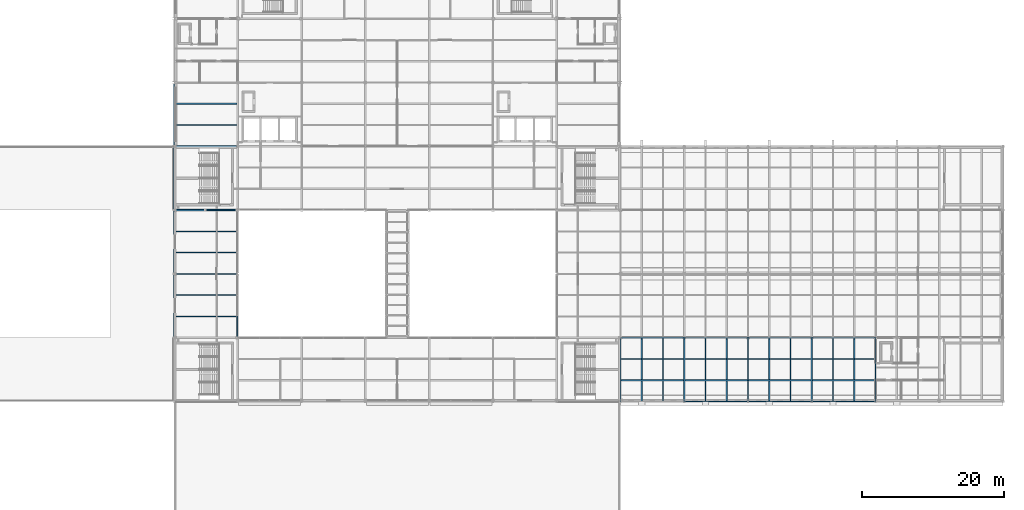
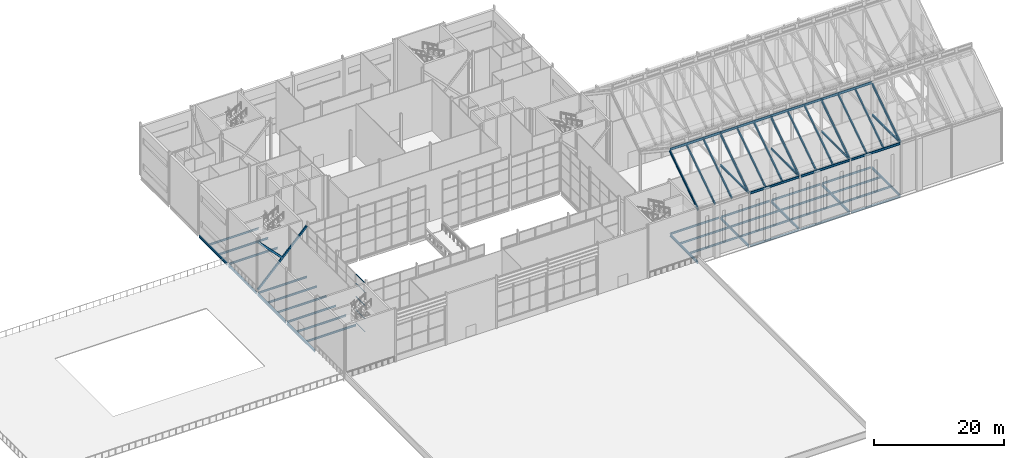
# One storey, part 31 of 111: 44 beams, 20 members, 1 element without a shape of its own.
"""IFC4 building model written with IfcOpenShell, lengths in metres."""

import ifcopenshell
import ifcopenshell.guid

model = None  # the IFC model being written
_history = None  # IfcOwnerHistory: only IFC2X3 demands one
_inside = {}  # id of a spatial element -> (the spatial element, [elements in it])
_under = {}  # id of a project, library or spatial element -> (it, [spatial elements below it])
_declared = {}  # id of a project -> (the project, [libraries it declares])
_typed = {}  # id of a type object -> (the type object, [elements of that type])
_made_of = {}  # id of a material, layer set ... -> (it, [elements and type objects made of it])


def new_model(schema):
    """Start an empty IFC model of exactly this schema.

    Asked for "IFC4X3", IfcOpenShell would pick the latest addendum, in which some entities
    have other attributes; the version numbers below select the first issue.
    IFC2X3 requires an IfcOwnerHistory on every rooted entity: one is made here for all.
    """
    global model, _history
    if schema == "IFC4X3":
        model = ifcopenshell.file(schema_version=(4, 3, 0, 0))
    else:
        model = ifcopenshell.file(schema=schema)
    _inside.clear()
    _under.clear()
    _declared.clear()
    _typed.clear()
    _made_of.clear()
    _history = None
    if model.schema == "IFC2X3":
        org = make("IfcOrganization", Name="unknown")
        user = make(
            "IfcPersonAndOrganization",
            ThePerson=make("IfcPerson", FamilyName="unknown"),
            TheOrganization=org,
        )
        app = make(
            "IfcApplication",
            ApplicationDeveloper=org,
            Version="unknown",
            ApplicationFullName="unknown",
            ApplicationIdentifier="unknown",
        )
        _history = make(
            "IfcOwnerHistory",
            OwningUser=user,
            OwningApplication=app,
            ChangeAction="ADDED",
            CreationDate=0,
        )
    return model


def make(cls, **values):
    """One entity of the class cls with the attributes given. An attribute that is None is left unset."""
    return model.create_entity(
        cls, **{name: value for name, value in values.items() if value is not None}
    )


def rooted(cls, **values):
    """An entity with a GlobalId (a new one), such as an element, a storey or a relation."""
    return make(cls, GlobalId=ifcopenshell.guid.new(), OwnerHistory=_history, **values)


def si_unit(unit_type, name, prefix=None):
    """IfcSIUnit, for example si_unit("LENGTHUNIT", "METRE", prefix="MILLI")."""
    return make("IfcSIUnit", UnitType=unit_type, Prefix=prefix, Name=name)


def assignment(units):
    """IfcUnitAssignment: the units of a project."""
    return None if units is None else make("IfcUnitAssignment", Units=units)


def point(xyz):
    """IfcCartesianPoint."""
    return None if xyz is None else make("IfcCartesianPoint", Coordinates=xyz)


def direction(xyz):
    """IfcDirection."""
    return None if xyz is None else make("IfcDirection", DirectionRatios=xyz)


def frame(location, z_axis=None, x_axis=None):
    """IfcAxis2Placement3D, a coordinate frame: its origin and axes. An axis left out is left unset."""
    return make(
        "IfcAxis2Placement3D",
        Location=point(location),
        Axis=direction(z_axis),
        RefDirection=direction(x_axis),
    )


def frame_2d(location, x_axis=None):
    """IfcAxis2Placement2D, a coordinate frame in the plane: its origin and x axis."""
    return make(
        "IfcAxis2Placement2D", Location=point(location), RefDirection=direction(x_axis)
    )


def origin():
    """The frame at (0, 0, 0) with its axes left unset."""
    return frame((0.0, 0.0, 0.0))


def origin_2d():
    """The frame at (0, 0) in the plane with its x axis left unset."""
    return frame_2d((0.0, 0.0))


def place(relative_to, where):
    """IfcLocalPlacement: puts the frame where relative to a parent placement (None: the world)."""
    return make(
        "IfcLocalPlacement", PlacementRelTo=relative_to, RelativePlacement=where
    )


def context(
    kind, dimensions, precision=None, world=None, true_north=None, identifier=None
):
    """IfcGeometricRepresentationContext, for example the 3D "Model" context."""
    return make(
        "IfcGeometricRepresentationContext",
        ContextIdentifier=identifier,
        ContextType=kind,
        CoordinateSpaceDimension=dimensions,
        Precision=precision,
        WorldCoordinateSystem=world,
        TrueNorth=true_north,
    )


def subcontext(parent, identifier, kind, view, scale=None):
    """IfcGeometricRepresentationSubContext, for example "Body" below "Model"."""
    return make(
        "IfcGeometricRepresentationSubContext",
        ContextIdentifier=identifier,
        ContextType=kind,
        ParentContext=parent,
        TargetScale=scale,
        TargetView=view,
    )


def project(units=None, contexts=None):
    """IfcProject with its units and contexts."""
    return rooted(
        "IfcProject",
        Name="project",
        RepresentationContexts=contexts,
        UnitsInContext=assignment(units),
    )


def spatial(cls, under=None, at=None, **own):
    """A site, building, storey or space (cls), placed at a placement, below another one or the project."""
    s = rooted(cls, ObjectPlacement=at, **own)
    if under is not None:
        _under.setdefault(under.id(), (under, []))[1].append(s)
    return s


def profile(cls, at=None, kind="AREA", **sizes):
    """A parametric profile (cls). Its sizes go by their IFC names, for example OverallWidth=200.0."""
    return make(cls, ProfileType=kind, Position=at, **sizes)


def hollow_rectangle(**sizes):
    """IfcRectangleHollowProfileDef."""
    return profile("IfcRectangleHollowProfileDef", **sizes)


def i_section(**sizes):
    """IfcIShapeProfileDef."""
    return profile("IfcIShapeProfileDef", **sizes)


def extrude(swept, where, along, depth):
    """IfcExtrudedAreaSolid: the profile swept, set in the frame where, extruded along a direction by depth."""
    return make(
        "IfcExtrudedAreaSolid",
        SweptArea=swept,
        Position=where,
        ExtrudedDirection=direction(along),
        Depth=depth,
    )


def shape(context_of_items, identifier, shape_type, items):
    """IfcShapeRepresentation: the items that make up one representation, for example the "Body"."""
    return make(
        "IfcShapeRepresentation",
        ContextOfItems=context_of_items,
        RepresentationIdentifier=identifier,
        RepresentationType=shape_type,
        Items=items,
    )


def material(Name=None, Category=None):
    """IfcMaterial."""
    return make("IfcMaterial", Name=Name, Category=Category)


def layer(
    of_material, thickness, ventilated=None, Name=None, Category=None, Priority=None
):
    """IfcMaterialLayer: one layer of a wall or slab, of a material (None: an air gap)."""
    return make(
        "IfcMaterialLayer",
        Material=of_material,
        LayerThickness=thickness,
        IsVentilated=ventilated,
        Name=Name,
        Category=Category,
        Priority=Priority,
    )


def layer_set(layers, Name=None):
    """IfcMaterialLayerSet."""
    return make("IfcMaterialLayerSet", MaterialLayers=layers, LayerSetName=Name)


def material_profile(
    of_material, cross_section, Name=None, Category=None, Priority=None
):
    """IfcMaterialProfile: a cross section and its material."""
    return make(
        "IfcMaterialProfile",
        Name=Name,
        Material=of_material,
        Profile=cross_section,
        Priority=Priority,
        Category=Category,
    )


def profile_set(profiles, Name=None, composite=None):
    """IfcMaterialProfileSet."""
    return make(
        "IfcMaterialProfileSet",
        Name=Name,
        MaterialProfiles=profiles,
        CompositeProfile=composite,
    )


def made_of(thing, what):
    """Note that an element or type object is made of a material, layer set ...; save() writes the relation."""
    if what is not None:
        _made_of.setdefault(what.id(), (what, []))[1].append(thing)
    return thing


def type_object(cls, material=None, **own):
    """A type object (cls), such as IfcWallType, which elements share."""
    return made_of(rooted(cls, **own), material)


def element(
    cls,
    number,
    at=None,
    inside=None,
    cuts=None,
    type_object=None,
    material=None,
    context=None,
    identifier="Body",
    shape_type=None,
    held_by="IfcProductDefinitionShape",
    body=None,
    shapes=None,
    **own,
):
    """One element of the class cls, such as IfcWall. Its Tag is "e" and its number.

    at: its placement. inside: the storey or other place that contains it. cuts: it is an
    opening in that element (IfcRelVoidsElement). A single representation is given by context,
    identifier, shape_type and body (its items); several are given by shapes. held_by: the class
    of the entity that holds the representations. save() writes the other relations.
    """
    e = rooted(cls, Tag="e%d" % number, ObjectPlacement=at, **own)
    if body is not None:
        shapes = [shape(context, identifier, shape_type, body)]
    if shapes is not None:
        e.Representation = make(held_by, Representations=shapes)
    if inside is not None:
        _inside.setdefault(inside.id(), (inside, []))[1].append(e)
    if cuts is not None:
        rooted(
            "IfcRelVoidsElement", RelatingBuildingElement=cuts, RelatedOpeningElement=e
        )
    if type_object is not None:
        _typed.setdefault(type_object.id(), (type_object, []))[1].append(e)
    return made_of(e, material)


def aggregate(whole, parts):
    """IfcRelAggregates: a whole, such as a stair, and the parts it consists of."""
    return rooted("IfcRelAggregates", RelatingObject=whole, RelatedObjects=parts)


def save(model, path):
    """Write the relations noted so far, then the file.

    IfcRelAggregates (storeys below a building ...), IfcRelContainedInSpatialStructure (elements
    in a storey), IfcRelDefinesByType, IfcRelAssociatesMaterial and IfcRelDeclares: one each for
    every whole, place, type object, material and project.
    """
    for whole, parts in _under.values():
        aggregate(whole, parts)
    for where, things in _inside.values():
        rooted(
            "IfcRelContainedInSpatialStructure",
            RelatedElements=things,
            RelatingStructure=where,
        )
    for kind, things in _typed.values():
        rooted("IfcRelDefinesByType", RelatedObjects=things, RelatingType=kind)
    for what, things in _made_of.values():
        rooted("IfcRelAssociatesMaterial", RelatedObjects=things, RelatingMaterial=what)
    for by, libraries in _declared.values():
        rooted("IfcRelDeclares", RelatingContext=by, RelatedDefinitions=libraries)
    model.write(path)


model = new_model("IFC4")

# Units and contexts
model_context = context("Model", 3, precision=1e-05, world=origin(), true_north=direction((0.0, 1.0)))
body_context = subcontext(model_context, "Body", "Model", "MODEL_VIEW")
ifc_project = project(units=[si_unit("LENGTHUNIT", "METRE"), si_unit("AREAUNIT", "SQUARE_METRE"), si_unit("VOLUMEUNIT", "CUBIC_METRE"), si_unit("PLANEANGLEUNIT", "RADIAN"), si_unit("MASSUNIT", "GRAM", prefix="KILO")], contexts=[model_context])

# Site, building, storey
site_placement = place(None, origin())
site = spatial("IfcSite", under=ifc_project, at=site_placement, CompositionType="ELEMENT")
building_placement = place(site_placement, origin())
building = spatial("IfcBuilding", under=site, at=building_placement, Name="Shorebreak Coast Museum", CompositionType="ELEMENT")
storey_placement = place(building_placement, frame((0.0, 0.0, 16.0)))
storey = spatial("IfcBuildingStorey", under=building, at=storey_placement, Name="L03", CompositionType="ELEMENT", Elevation=16.0)

# Beams
ifc_material_1 = material(Name="Steel Grade 300", Category="steel")
ifc_material_profile_1 = material_profile(ifc_material_1, i_section(OverallWidth=0.1708984375, OverallDepth=0.355712890625, WebThickness=0.00732421875, FlangeThickness=0.011474609375, FilletRadius=0.011474609375, at=origin_2d()), Name="360UB50.7")
ifc_profile_set_1 = profile_set([ifc_material_profile_1], Name="Steel Grade 300")
beam_type_1 = type_object("IfcBeamType", Name="Floor girder east-west 360UB50.7", PredefinedType="BEAM", material=ifc_profile_set_1)
for number, where, z_axis, x_axis, name in (
    (1, (126.14990234375, 54.0, -0.352783203125), (1.0, 0.0, 0.0), (0.0, 1.0, 0.0), "Floor girder east-west L03 15G"),
    (2, (135.14990234375, 54.0, -0.352783203125), (1.0, 0.0, 0.0), (0.0, 1.0, 0.0), "Floor girder east-west L03 16G"),
    (3, (144.14990234375, 54.0, -0.352783203125), (1.0, 0.0, 0.0), (0.0, 1.0, 0.0), "Floor girder east-west L03 17G"),
):
    element("IfcBeam", number, at=place(storey_placement, frame(where, z_axis=z_axis, x_axis=x_axis)), inside=storey, type_object=beam_type_1, Name=name, PredefinedType="BEAM", context=body_context, shape_type="SweptSolid", body=[
        extrude(i_section(OverallWidth=0.1708984375, OverallDepth=0.355712890625, WebThickness=0.00732421875, FlangeThickness=0.011474609375, FilletRadius=0.011474609375, at=origin_2d()), origin(), (0.0, 0.0, 1.0), 8.7001953125),
    ])
for number, where, z_axis, x_axis, name in (
    (4, (117.153564453125, 63.0, -0.352783203125), (1.0, 0.0, 0.0), (0.0, 1.0, 0.0), "Floor girder east-west L03 14H"),
    (5, (126.153564453125, 63.0, -0.352783203125), (1.0, 0.0, 0.0), (0.0, 1.0, 0.0), "Floor girder east-west L03 15H"),
    (6, (135.153564453125, 63.0, -0.352783203125), (1.0, 0.0, 0.0), (0.0, 1.0, 0.0), "Floor girder east-west L03 16H"),
    (7, (144.153564453125, 63.0, -0.352783203125), (1.0, 0.0, 0.0), (0.0, 1.0, 0.0), "Floor girder east-west L03 17H"),
):
    element("IfcBeam", number, at=place(storey_placement, frame(where, z_axis=z_axis, x_axis=x_axis)), inside=storey, type_object=beam_type_1, Name=name, PredefinedType="BEAM", context=body_context, shape_type="SweptSolid", body=[
        extrude(i_section(OverallWidth=0.1708984375, OverallDepth=0.355712890625, WebThickness=0.00732421875, FlangeThickness=0.011474609375, FilletRadius=0.011474609375, at=origin_2d()), origin(), (0.0, 0.0, 1.0), 8.69287109375),
    ])
for number, where, z_axis, x_axis, name in (
    (8, (54.153564453125, 72.0, -0.352783203125), (1.0, 0.0, 0.0), (0.0, 1.0, 0.0), "Floor girder east-west L03 7J"),
    (9, (54.153564453125, 81.0, -0.352783203125), (1.0, 0.0, 0.0), (0.0, 1.0, 0.0), "Floor girder east-west L03 7K"),
):
    element("IfcBeam", number, at=place(storey_placement, frame(where, z_axis=z_axis, x_axis=x_axis)), inside=storey, type_object=beam_type_1, Name=name, PredefinedType="BEAM", context=body_context, shape_type="SweptSolid", body=[
        extrude(i_section(OverallWidth=0.1708984375, OverallDepth=0.355712890625, WebThickness=0.00732421875, FlangeThickness=0.011474609375, FilletRadius=0.011474609375, at=origin_2d()), origin(), (0.0, 0.0, 1.0), 8.69091796875),
    ])
beam_1_placement = place(storey_placement, frame((54.155517578125, 90.0, -0.352783203125), z_axis=(1.0, 0.0, 0.0), x_axis=(0.0, 1.0, 0.0)))
element("IfcBeam", 10, at=beam_1_placement, inside=storey, type_object=beam_type_1, Name="Floor girder east-west L03 7L", PredefinedType="BEAM", context=body_context, shape_type="SweptSolid", body=[
    extrude(i_section(OverallWidth=0.1708984375, OverallDepth=0.355712890625, WebThickness=0.00732421875, FlangeThickness=0.011474609375, FilletRadius=0.011474609375, at=origin_2d()), origin(), (0.0, 0.0, 1.0), 8.68896484375),
])
ifc_material_2 = material(Name="Steel Grade 300", Category="steel")
ifc_material_profile_2 = material_profile(ifc_material_2, i_section(OverallWidth=0.18994140625, OverallDepth=0.453857421875, WebThickness=0.008544921875, FlangeThickness=0.0126953125, FilletRadius=0.011474609375, at=origin_2d()), Name="460UB67.1")
ifc_profile_set_2 = profile_set([ifc_material_profile_2], Name="Steel Grade 300")
beam_type_2 = type_object("IfcBeamType", Name="Floor girder north-south 460UB67.1", PredefinedType="BEAM", material=ifc_profile_set_2)
for number, where, z_axis, x_axis, name in (
    (11, (117.0, 54.14990234375, -0.40185546875), (0.0, 1.0, 0.0), (-1.0, 0.0, 0.0), "Floor girder north-south L03 14G"),
    (12, (126.0, 54.14990234375, -0.40185546875), (0.0, 1.0, 0.0), (-1.0, 0.0, 0.0), "Floor girder north-south L03 15G"),
    (13, (135.0, 54.14990234375, -0.40185546875), (0.0, 1.0, 0.0), (-1.0, 0.0, 0.0), "Floor girder north-south L03 16G"),
    (14, (144.0, 54.14990234375, -0.40185546875), (0.0, 1.0, 0.0), (-1.0, 0.0, 0.0), "Floor girder north-south L03 17G"),
    (15, (153.0, 54.14990234375, -0.40185546875), (0.0, 1.0, 0.0), (-1.0, 0.0, 0.0), "Floor girder north-south L03 18G"),
):
    element("IfcBeam", number, at=place(storey_placement, frame(where, z_axis=z_axis, x_axis=x_axis)), inside=storey, type_object=beam_type_2, Name=name, PredefinedType="BEAM", context=body_context, shape_type="SweptSolid", body=[
        extrude(i_section(OverallWidth=0.18994140625, OverallDepth=0.453857421875, WebThickness=0.008544921875, FlangeThickness=0.0126953125, FilletRadius=0.011474609375, at=origin_2d()), origin(), (0.0, 0.0, 1.0), 8.69287109375),
    ])
for number, where, z_axis, x_axis, name in (
    (16, (54.0, 63.1572265625, -0.40185546875), (0.0, 1.0, 0.0), (-1.0, 0.0, 0.0), "Floor girder north-south L03 7H"),
    (17, (54.0, 72.1572265625, -0.40185546875), (0.0, 1.0, 0.0), (-1.0, 0.0, 0.0), "Floor girder north-south L03 7J"),
):
    element("IfcBeam", number, at=place(storey_placement, frame(where, z_axis=z_axis, x_axis=x_axis)), inside=storey, type_object=beam_type_2, Name=name, PredefinedType="BEAM", context=body_context, shape_type="SweptSolid", body=[
        extrude(i_section(OverallWidth=0.18994140625, OverallDepth=0.453857421875, WebThickness=0.008544921875, FlangeThickness=0.0126953125, FilletRadius=0.011474609375, at=origin_2d()), origin(), (0.0, 0.0, 1.0), 8.685546875),
    ])
for number, where, z_axis, x_axis, name in (
    (18, (54.0, 81.1572265625, -0.40185546875), (0.0, 1.0, 0.0), (-1.0, 0.0, 0.0), "Floor girder north-south L03 7K"),
    (19, (54.0, 90.16357421875, -0.40185546875), (0.0, 1.0, 0.0), (-1.0, 0.0, 0.0), "Floor girder north-south L03 7L"),
):
    element("IfcBeam", number, at=place(storey_placement, frame(where, z_axis=z_axis, x_axis=x_axis)), inside=storey, type_object=beam_type_2, Name=name, PredefinedType="BEAM", context=body_context, shape_type="SweptSolid", body=[
        extrude(i_section(OverallWidth=0.18994140625, OverallDepth=0.453857421875, WebThickness=0.008544921875, FlangeThickness=0.0126953125, FilletRadius=0.011474609375, at=origin_2d()), origin(), (0.0, 0.0, 1.0), 8.67919921875),
    ])
ifc_material_3 = material(Name="Steel Grade 300", Category="steel")
ifc_material_profile_3 = material_profile(ifc_material_3, i_section(OverallWidth=0.1708984375, OverallDepth=0.35205078125, WebThickness=0.0068359375, FlangeThickness=0.009765625, FilletRadius=0.011474609375, at=origin_2d()), Name="360UB44.7")
ifc_profile_set_3 = profile_set([ifc_material_profile_3], Name="Steel Grade 300")
beam_type_3 = type_object("IfcBeamType", Name="Floor joist 360UB44.7", PredefinedType="JOIST", material=ifc_profile_set_3)
for number, where, z_axis, x_axis, name in (
    (20, (117.094970703125, 57.0, -0.35107421875), (1.0, 0.0, 0.0), (0.0, 1.0, 0.0), "Floor joist L03 bay 14G at 3000 mm"),
    (21, (117.094970703125, 60.0, -0.35107421875), (1.0, 0.0, 0.0), (0.0, 1.0, 0.0), "Floor joist L03 bay 14G at 6000 mm"),
    (22, (126.094970703125, 57.0, -0.35107421875), (1.0, 0.0, 0.0), (0.0, 1.0, 0.0), "Floor joist L03 bay 15G at 3000 mm"),
    (23, (126.094970703125, 60.0, -0.35107421875), (1.0, 0.0, 0.0), (0.0, 1.0, 0.0), "Floor joist L03 bay 15G at 6000 mm"),
    (24, (135.094970703125, 57.0, -0.35107421875), (1.0, 0.0, 0.0), (0.0, 1.0, 0.0), "Floor joist L03 bay 16G at 3000 mm"),
    (25, (135.094970703125, 60.0, -0.35107421875), (1.0, 0.0, 0.0), (0.0, 1.0, 0.0), "Floor joist L03 bay 16G at 6000 mm"),
    (26, (144.094970703125, 57.0, -0.35107421875), (1.0, 0.0, 0.0), (0.0, 1.0, 0.0), "Floor joist L03 bay 17G at 3000 mm"),
    (27, (144.094970703125, 60.0, -0.35107421875), (1.0, 0.0, 0.0), (0.0, 1.0, 0.0), "Floor joist L03 bay 17G at 6000 mm"),
):
    element("IfcBeam", number, at=place(storey_placement, frame(where, z_axis=z_axis, x_axis=x_axis)), inside=storey, type_object=beam_type_3, Name=name, PredefinedType="JOIST", context=body_context, shape_type="SweptSolid", body=[
        extrude(i_section(OverallWidth=0.1708984375, OverallDepth=0.35205078125, WebThickness=0.0068359375, FlangeThickness=0.009765625, FilletRadius=0.011474609375, at=origin_2d()), origin(), (0.0, 0.0, 1.0), 8.81005859375),
    ])
ifc_material_4 = material(Name="Steel Grade 300", Category="steel")
ifc_material_profile_4 = material_profile(ifc_material_4, i_section(OverallWidth=0.1708984375, OverallDepth=0.355712890625, WebThickness=0.00732421875, FlangeThickness=0.011474609375, FilletRadius=0.011474609375, at=origin_2d()), Name="360UB50.7")
ifc_profile_set_4 = profile_set([ifc_material_profile_4], Name="Steel Grade 300")
beam_type_4 = type_object("IfcBeamType", Name="Floor joist 360UB50.7", PredefinedType="JOIST", material=ifc_profile_set_4)
for number, where, z_axis, x_axis, name in (
    (28, (54.094970703125, 66.0, -0.352783203125), (1.0, 0.0, 0.0), (0.0, 1.0, 0.0), "Floor joist L03 bay 7H at 3000 mm"),
    (29, (54.094970703125, 69.0, -0.352783203125), (1.0, 0.0, 0.0), (0.0, 1.0, 0.0), "Floor joist L03 bay 7H at 6000 mm"),
    (30, (54.094970703125, 75.0, -0.352783203125), (1.0, 0.0, 0.0), (0.0, 1.0, 0.0), "Floor joist L03 bay 7J at 3000 mm"),
    (31, (54.094970703125, 78.0, -0.352783203125), (1.0, 0.0, 0.0), (0.0, 1.0, 0.0), "Floor joist L03 bay 7J at 6000 mm"),
):
    element("IfcBeam", number, at=place(storey_placement, frame(where, z_axis=z_axis, x_axis=x_axis)), inside=storey, type_object=beam_type_4, Name=name, PredefinedType="JOIST", context=body_context, shape_type="SweptSolid", body=[
        extrude(i_section(OverallWidth=0.1708984375, OverallDepth=0.355712890625, WebThickness=0.00732421875, FlangeThickness=0.011474609375, FilletRadius=0.011474609375, at=origin_2d()), origin(), (0.0, 0.0, 1.0), 8.800537109375),
    ])
for number, where, z_axis, x_axis, name in (
    (32, (54.094970703125, 93.0, -0.352783203125), (1.0, 0.0, 0.0), (0.0, 1.0, 0.0), "Floor joist L03 bay 7L at 3000 mm"),
    (33, (54.094970703125, 96.0, -0.352783203125), (1.0, 0.0, 0.0), (0.0, 1.0, 0.0), "Floor joist L03 bay 7L at 6000 mm"),
):
    element("IfcBeam", number, at=place(storey_placement, frame(where, z_axis=z_axis, x_axis=x_axis)), inside=storey, type_object=beam_type_4, Name=name, PredefinedType="JOIST", context=body_context, shape_type="SweptSolid", body=[
        extrude(i_section(OverallWidth=0.1708984375, OverallDepth=0.355712890625, WebThickness=0.00732421875, FlangeThickness=0.011474609375, FilletRadius=0.011474609375, at=origin_2d()), origin(), (0.0, 0.0, 1.0), 8.81005859375),
    ])

# Members
ifc_material_5 = material(Name="Steel Grade 300", Category="steel")
ifc_material_profile_5 = material_profile(ifc_material_5, i_section(OverallWidth=0.177978515625, OverallDepth=0.402587890625, WebThickness=0.007568359375, FlangeThickness=0.010986328125, FilletRadius=0.011474609375, at=origin_2d()), Name="410UB53.7")
ifc_profile_set_5 = profile_set([ifc_material_profile_5], Name="Steel Grade 300")
member_type_1 = type_object("IfcMemberType", Name="Fold rafter 410UB53.7", PredefinedType="RAFTER", material=ifc_profile_set_5)
for number, where, z_axis, x_axis, name in (
    (34, (120.0, 62.910888671875, 15.458251953125), (0.0, -0.832043209162, -0.554710823842), (1.0, 0.0, 0.0), "Fold rafter FOLD-E line 1 02"),
    (35, (123.0, 62.910888671875, 15.458251953125), (0.0, -0.832043209162, -0.554710823842), (1.0, 0.0, 0.0), "Fold rafter FOLD-E line 1 03"),
    (36, (129.0, 62.910888671875, 15.458251953125), (0.0, -0.832043209162, -0.554710823842), (1.0, 0.0, 0.0), "Fold rafter FOLD-E line 1 05"),
    (37, (132.0, 62.910888671875, 15.458251953125), (0.0, -0.832043209162, -0.554710823842), (1.0, 0.0, 0.0), "Fold rafter FOLD-E line 1 06"),
    (38, (138.0, 62.910888671875, 15.458251953125), (0.0, -0.832043209162, -0.554710823842), (1.0, 0.0, 0.0), "Fold rafter FOLD-E line 1 08"),
    (39, (141.0, 62.910888671875, 15.458251953125), (0.0, -0.832043209162, -0.554710823842), (1.0, 0.0, 0.0), "Fold rafter FOLD-E line 1 09"),
    (40, (147.0, 62.910888671875, 15.458251953125), (0.0, -0.832043209162, -0.554710823842), (1.0, 0.0, 0.0), "Fold rafter FOLD-E line 1 11"),
    (41, (150.0, 62.910888671875, 15.458251953125), (0.0, -0.832043209162, -0.554710823842), (1.0, 0.0, 0.0), "Fold rafter FOLD-E line 1 12"),
):
    element("IfcMember", number, at=place(storey_placement, frame(where, z_axis=z_axis, x_axis=x_axis)), inside=storey, type_object=member_type_1, Name=name, PredefinedType="RAFTER", context=body_context, shape_type="SweptSolid", body=[
        extrude(i_section(OverallWidth=0.177978515625, OverallDepth=0.402587890625, WebThickness=0.007568359375, FlangeThickness=0.010986328125, FilletRadius=0.011474609375, at=origin_2d()), origin(), (0.0, 0.0, 1.0), 10.6025390625),
    ])
ifc_material_6 = material(Name="Steel Grade 300", Category="steel")
ifc_material_profile_6 = material_profile(ifc_material_6, i_section(OverallWidth=0.18994140625, OverallDepth=0.453857421875, WebThickness=0.008544921875, FlangeThickness=0.0126953125, FilletRadius=0.011474609375, at=origin_2d()), Name="460UB67.1")
ifc_profile_set_6 = profile_set([ifc_material_profile_6], Name="Steel Grade 300")
member_type_2 = type_object("IfcMemberType", Name="Fold rib rafter 460UB67.1", PredefinedType="RAFTER", material=ifc_profile_set_6)
for number, where, z_axis, x_axis, name in (
    (42, (117.0, 62.910888671875, 15.427490234375), (0.0, -0.832043209162, -0.554710823842), (1.0, 0.0, 0.0), "Fold rib rafter FOLD-E line 1 01"),
    (43, (126.0, 62.910888671875, 15.427490234375), (0.0, -0.832043209162, -0.554710823842), (1.0, 0.0, 0.0), "Fold rib rafter FOLD-E line 1 04"),
    (44, (135.0, 62.910888671875, 15.427490234375), (0.0, -0.832043209162, -0.554710823842), (1.0, 0.0, 0.0), "Fold rib rafter FOLD-E line 1 07"),
    (45, (144.0, 62.910888671875, 15.427490234375), (0.0, -0.832043209162, -0.554710823842), (1.0, 0.0, 0.0), "Fold rib rafter FOLD-E line 1 10"),
    (46, (153.0, 62.910888671875, 15.427490234375), (0.0, -0.832043209162, -0.554710823842), (1.0, 0.0, 0.0), "Fold rib rafter FOLD-E line 1 13"),
):
    element("IfcMember", number, at=place(storey_placement, frame(where, z_axis=z_axis, x_axis=x_axis)), inside=storey, type_object=member_type_2, Name=name, PredefinedType="RAFTER", context=body_context, shape_type="SweptSolid", body=[
        extrude(i_section(OverallWidth=0.18994140625, OverallDepth=0.453857421875, WebThickness=0.008544921875, FlangeThickness=0.0126953125, FilletRadius=0.011474609375, at=origin_2d()), origin(), (0.0, 0.0, 1.0), 10.6025390625),
    ])

# Beams
ifc_material_7 = material(Name="Steel Grade 300", Category="steel")
ifc_material_profile_7 = material_profile(ifc_material_7, i_section(OverallWidth=0.1708984375, OverallDepth=0.35205078125, WebThickness=0.0068359375, FlangeThickness=0.009765625, FilletRadius=0.011474609375, at=origin_2d()), Name="360UB44.7")
ifc_profile_set_7 = profile_set([ifc_material_profile_7], Name="Steel Grade 300")
beam_type_5 = type_object("IfcBeamType", Name="Fold rib tie 360UB44.7", PredefinedType="BEAM", material=ifc_profile_set_7)
for number, where, z_axis, x_axis, name in (
    (47, (126.0, 54.125, 9.58349609375), (0.0, 1.0, 0.0), (-1.0, 0.0, 0.0), "Fold rib tie FOLD-E rib 15 G-H"),
    (48, (135.0, 54.125, 9.58349609375), (0.0, 1.0, 0.0), (-1.0, 0.0, 0.0), "Fold rib tie FOLD-E rib 16 G-H"),
    (49, (144.0, 54.125, 9.58349609375), (0.0, 1.0, 0.0), (-1.0, 0.0, 0.0), "Fold rib tie FOLD-E rib 17 G-H"),
    (50, (153.0, 54.125, 9.58349609375), (0.0, 1.0, 0.0), (-1.0, 0.0, 0.0), "Fold rib tie FOLD-E rib 18 G-H"),
):
    element("IfcBeam", number, at=place(storey_placement, frame(where, z_axis=z_axis, x_axis=x_axis)), inside=storey, type_object=beam_type_5, Name=name, PredefinedType="BEAM", context=body_context, shape_type="SweptSolid", body=[
        extrude(i_section(OverallWidth=0.1708984375, OverallDepth=0.35205078125, WebThickness=0.0068359375, FlangeThickness=0.009765625, FilletRadius=0.011474609375, at=origin_2d()), origin(), (0.0, 0.0, 1.0), 8.720947265625),
    ])
ifc_material_8 = material(Name="Steel Grade 300", Category="steel")
ifc_material_profile_8 = material_profile(ifc_material_8, i_section(OverallWidth=0.177978515625, OverallDepth=0.406494140625, WebThickness=0.0078125, FlangeThickness=0.0126953125, FilletRadius=0.011474609375, at=origin_2d()), Name="410UB59.7")
ifc_profile_set_8 = profile_set([ifc_material_profile_8], Name="Steel Grade 300")
beam_type_6 = type_object("IfcBeamType", Name="Fold ridge beam 410UB59.7", PredefinedType="BEAM", material=ifc_profile_set_8)
beam_2_placement = place(storey_placement, frame((117.125, 63.0, 15.556396484375), z_axis=(1.0, 0.0, 0.0), x_axis=(0.0, 1.0, 0.0)))
element("IfcBeam", 51, at=beam_2_placement, inside=storey, type_object=beam_type_6, Name="Fold ridge beam FOLD-E line H bay 14H", PredefinedType="BEAM", context=body_context, shape_type="SweptSolid", body=[
    extrude(i_section(OverallWidth=0.177978515625, OverallDepth=0.406494140625, WebThickness=0.0078125, FlangeThickness=0.0126953125, FilletRadius=0.011474609375, at=origin_2d()), origin(), (0.0, 0.0, 1.0), 8.875),
])
for number, where, z_axis, x_axis, name in (
    (52, (126.0, 63.0, 15.556396484375), (1.0, 0.0, 0.0), (0.0, 1.0, 0.0), "Fold ridge beam FOLD-E line H bay 15H"),
    (53, (135.0, 63.0, 15.556396484375), (1.0, 0.0, 0.0), (0.0, 1.0, 0.0), "Fold ridge beam FOLD-E line H bay 16H"),
    (54, (144.0, 63.0, 15.556396484375), (1.0, 0.0, 0.0), (0.0, 1.0, 0.0), "Fold ridge beam FOLD-E line H bay 17H"),
):
    element("IfcBeam", number, at=place(storey_placement, frame(where, z_axis=z_axis, x_axis=x_axis)), inside=storey, type_object=beam_type_6, Name=name, PredefinedType="BEAM", context=body_context, shape_type="SweptSolid", body=[
        extrude(i_section(OverallWidth=0.177978515625, OverallDepth=0.406494140625, WebThickness=0.0078125, FlangeThickness=0.0126953125, FilletRadius=0.011474609375, at=origin_2d()), origin(), (0.0, 0.0, 1.0), 9.0),
    ])
ifc_material_9 = material(Name="Steel Grade 300", Category="steel")
ifc_material_profile_9 = material_profile(ifc_material_9, i_section(OverallWidth=0.177978515625, OverallDepth=0.406494140625, WebThickness=0.0078125, FlangeThickness=0.0126953125, FilletRadius=0.011474609375, at=origin_2d()), Name="410UB59.7")
ifc_profile_set_9 = profile_set([ifc_material_profile_9], Name="Steel Grade 300")
beam_type_7 = type_object("IfcBeamType", Name="Fold valley girder 410UB59.7", PredefinedType="BEAM", material=ifc_profile_set_9)
for number, where, z_axis, x_axis, name in (
    (55, (126.125, 54.0, 9.61572265625), (1.0, 0.0, 0.0), (0.0, 1.0, 0.0), "Fold valley girder FOLD-E line G bay 15G"),
    (56, (135.125, 54.0, 9.61572265625), (1.0, 0.0, 0.0), (0.0, 1.0, 0.0), "Fold valley girder FOLD-E line G bay 16G"),
    (57, (144.125, 54.0, 9.61572265625), (1.0, 0.0, 0.0), (0.0, 1.0, 0.0), "Fold valley girder FOLD-E line G bay 17G"),
):
    element("IfcBeam", number, at=place(storey_placement, frame(where, z_axis=z_axis, x_axis=x_axis)), inside=storey, type_object=beam_type_7, Name=name, PredefinedType="BEAM", context=body_context, shape_type="SweptSolid", body=[
        extrude(i_section(OverallWidth=0.177978515625, OverallDepth=0.406494140625, WebThickness=0.0078125, FlangeThickness=0.0126953125, FilletRadius=0.011474609375, at=origin_2d()), origin(), (0.0, 0.0, 1.0), 8.75),
    ])

# Curtain wall, members
ifc_material_10 = material(Name="Aluminium", Category="aluminium")
ifc_layer = layer(ifc_material_10, 0.1201171875)
ifc_layer_set = layer_set([ifc_layer], Name="Aluminium")
curtain_wall_type = type_object("IfcCurtainWallType", Name="Atrium fire screen", PredefinedType="NOTDEFINED", material=ifc_layer_set)
curtain_wall_placement = place(storey_placement, origin())
curtain_wall = element("IfcCurtainWall", 58, at=curtain_wall_placement, inside=storey, type_object=curtain_wall_type, Name="Atrium screen L03 W 45", PredefinedType="NOTDEFINED")
ifc_material_11 = material(Name="Aluminium", Category="aluminium")
ifc_material_profile_10 = material_profile(ifc_material_11, hollow_rectangle(XDim=0.1201171875, YDim=0.06005859375, WallThickness=0.00341796875, at=origin_2d()), Name="AL 60x120 RHS")
ifc_profile_set_10 = profile_set([ifc_material_profile_10], Name="Aluminium")
member_type_3 = type_object("IfcMemberType", Name="Screen transom 120 x 50", PredefinedType="USERDEFINED", material=ifc_profile_set_10)
member_1_placement = place(storey_placement, frame((62.93994140625, 63.228271484375, 0.06005859375), z_axis=(0.0, 1.0, 0.0), x_axis=(-1.0, 0.0, 0.0)))
member_1 = element("IfcMember", 59, at=member_1_placement, type_object=member_type_3, Name="CW4 transom 1.1", ObjectType="TRANSOM", PredefinedType="USERDEFINED", context=body_context, shape_type="SweptSolid", body=[
    extrude(hollow_rectangle(XDim=0.1201171875, YDim=0.06005859375, WallThickness=0.00341796875, at=origin_2d()), origin(), (0.0, 0.0, 1.0), 2.812255859375),
])
member_2_placement = place(storey_placement, frame((62.93994140625, 63.228271484375, 2.5), z_axis=(0.0, 1.0, 0.0), x_axis=(-1.0, 0.0, 0.0)))
member_2 = element("IfcMember", 60, at=member_2_placement, type_object=member_type_3, Name="CW4 transom 1.2", ObjectType="TRANSOM", PredefinedType="USERDEFINED", context=body_context, shape_type="SweptSolid", body=[
    extrude(hollow_rectangle(XDim=0.1201171875, YDim=0.06005859375, WallThickness=0.00341796875, at=origin_2d()), origin(), (0.0, 0.0, 1.0), 2.812255859375),
])
member_3_placement = place(storey_placement, frame((62.93994140625, 63.228271484375, 5.0), z_axis=(0.0, 1.0, 0.0), x_axis=(-1.0, 0.0, 0.0)))
member_3 = element("IfcMember", 61, at=member_3_placement, type_object=member_type_3, Name="CW4 transom 1.3", ObjectType="TRANSOM", PredefinedType="USERDEFINED", context=body_context, shape_type="SweptSolid", body=[
    extrude(hollow_rectangle(XDim=0.1201171875, YDim=0.06005859375, WallThickness=0.00341796875, at=origin_2d()), origin(), (0.0, 0.0, 1.0), 2.812255859375),
])
member_4_placement = place(storey_placement, frame((62.93994140625, 63.228271484375, 7.5), z_axis=(0.0, 1.0, 0.0), x_axis=(-1.0, 0.0, 0.0)))
member_4 = element("IfcMember", 62, at=member_4_placement, type_object=member_type_3, Name="CW4 transom 1.4", ObjectType="TRANSOM", PredefinedType="USERDEFINED", context=body_context, shape_type="SweptSolid", body=[
    extrude(hollow_rectangle(XDim=0.1201171875, YDim=0.06005859375, WallThickness=0.00341796875, at=origin_2d()), origin(), (0.0, 0.0, 1.0), 2.812255859375),
])
member_5_placement = place(storey_placement, frame((62.93994140625, 63.228271484375, 9.23681640625), z_axis=(0.0, 1.0, 0.0), x_axis=(-1.0, 0.0, 0.0)))
member_5 = element("IfcMember", 63, at=member_5_placement, type_object=member_type_3, Name="CW4 transom 1.5", ObjectType="TRANSOM", PredefinedType="USERDEFINED", context=body_context, shape_type="SweptSolid", body=[
    extrude(hollow_rectangle(XDim=0.1201171875, YDim=0.06005859375, WallThickness=0.00341796875, at=origin_2d()), origin(), (0.0, 0.0, 1.0), 2.812255859375),
])
aggregate(curtain_wall, [member_1, member_2, member_3, member_4, member_5])

# Members
ifc_material_12 = material(Name="Steel Grade C450L0", Category="steel")
ifc_material_profile_11 = material_profile(ifc_material_12, hollow_rectangle(XDim=0.25, YDim=0.35009765625, WallThickness=0.012451171875, InnerFilletRadius=0.018798828125, OuterFilletRadius=0.03125, at=origin_2d()), Name="350x250x12.5 RHS")
ifc_profile_set_11 = profile_set([ifc_material_profile_11], Name="Steel Grade C450L0")
member_type_4 = type_object("IfcMemberType", Name="X-brace 350x250x12.5 RHS", PredefinedType="BRACE", material=ifc_profile_set_11)
member_6_placement = place(storey_placement, frame((54.125, 81.0, 0.300048828125), z_axis=(0.69686913478, 0.0, 0.717198305206), x_axis=(0.0, 1.0, 0.0)))
element("IfcMember", 64, at=member_6_placement, inside=storey, type_object=member_type_4, Name="X-brace bay 03 L03 diagonal 1", PredefinedType="BRACE", context=body_context, shape_type="SweptSolid", body=[
    extrude(hollow_rectangle(XDim=0.25, YDim=0.35009765625, WallThickness=0.012451171875, InnerFilletRadius=0.018798828125, OuterFilletRadius=0.03125, at=origin_2d()), origin(), (0.0, 0.0, 1.0), 12.513671875),
])
member_7_placement = place(storey_placement, frame((58.377197265625, 81.0, 4.898681640625), z_axis=(-0.696870961003, 0.0, 0.717196530744), x_axis=(0.0, -1.0, 0.0)))
element("IfcMember", 65, at=member_7_placement, inside=storey, type_object=member_type_4, Name="X-brace bay 03 L03 diagonal 2", PredefinedType="BRACE", context=body_context, shape_type="SweptSolid", body=[
    extrude(hollow_rectangle(XDim=0.25, YDim=0.35009765625, WallThickness=0.012451171875, InnerFilletRadius=0.018798828125, OuterFilletRadius=0.03125, at=origin_2d()), origin(), (0.0, 0.0, 1.0), 6.101806640625),
])

save(model, "model.ifc")
